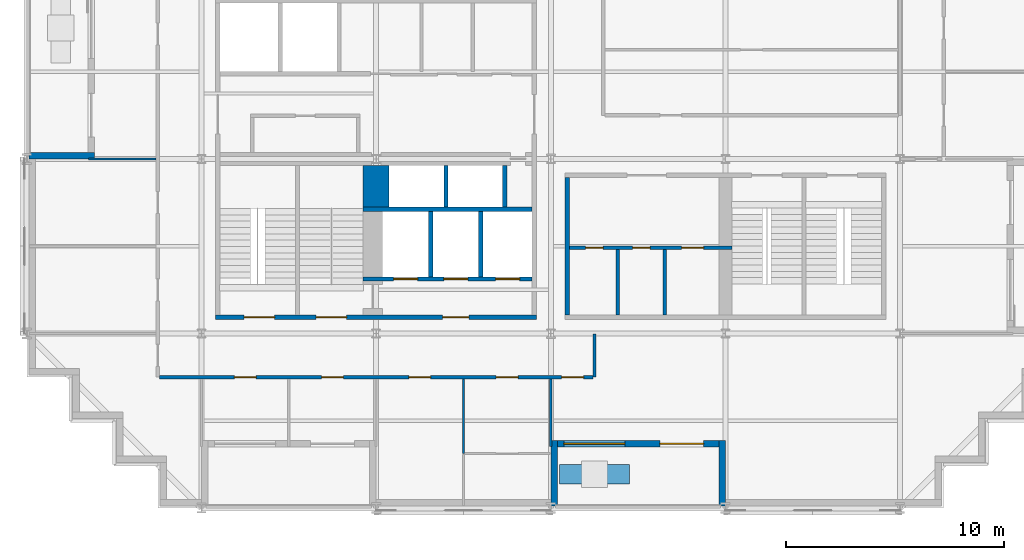
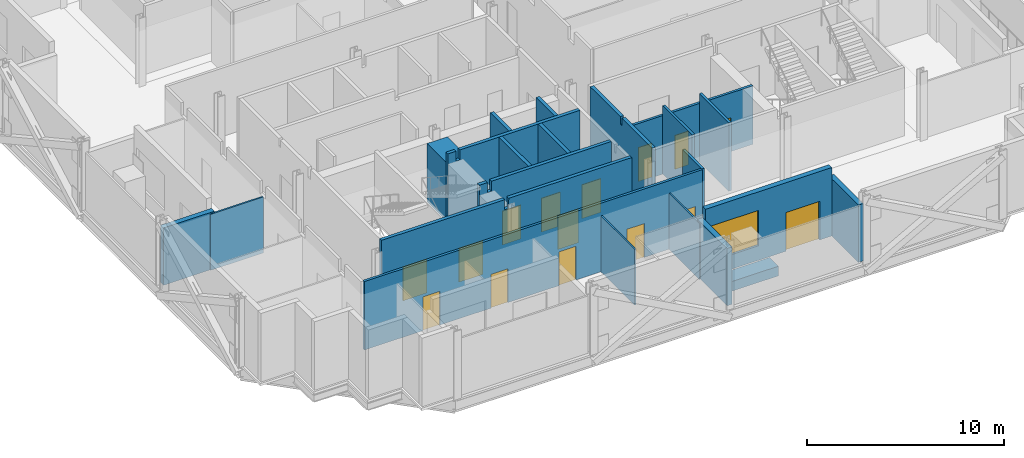
# One storey, part 6 of 15: 22 walls, 15 doors, 1 window, 16 openings.
"""IFC4 building model written with IfcOpenShell, lengths in metres."""

from ifc_helpers import new_model, si_unit, direction, frame, frame_2d, origin, place, context, subcontext, project, spatial, polyline, rectangle, outline, extrude, material, layer, layer_set, type_object, element, fill, save


model = new_model("IFC4")

# Units and contexts
model_context = context("Model", 3, precision=1e-05, world=origin(), true_north=direction((0.0, 1.0)))
body_context = subcontext(model_context, "Body", "Model", "MODEL_VIEW")
ifc_project = project(units=[si_unit("LENGTHUNIT", "METRE"), si_unit("AREAUNIT", "SQUARE_METRE"), si_unit("VOLUMEUNIT", "CUBIC_METRE"), si_unit("PLANEANGLEUNIT", "RADIAN"), si_unit("MASSUNIT", "GRAM", prefix="KILO")], contexts=[model_context])

# Site, building, storey
site_placement = place(None, origin())
site = spatial("IfcSite", under=ifc_project, at=site_placement, CompositionType="ELEMENT")
building_placement = place(site_placement, origin())
building = spatial("IfcBuilding", under=site, at=building_placement, Name="Immortelle Media Tower", CompositionType="ELEMENT")
storey_placement = place(building_placement, frame((0.0, 0.0, 70.0)))
storey = spatial("IfcBuildingStorey", under=building, at=storey_placement, Name="L12", CompositionType="ELEMENT", Elevation=70.0)

# Wall, openings, doors
ifc_material_1 = material(Name="Fire-rated gypsum board", Category="gypsum")
ifc_layer_1 = layer(ifc_material_1, 0.02490234375)
ifc_material_2 = material(Name="Steel ASTM A653 SS Gr 50 stud frame with mineral wool", Category="steel")
ifc_layer_2 = layer(ifc_material_2, 0.10009765625)
ifc_layer_3 = layer(ifc_material_1, 0.02490234375)
ifc_layer_set_1 = layer_set([ifc_layer_1, ifc_layer_2, ifc_layer_3], Name="Steel ASTM A653 SS Gr 50 stud frame with mineral wool")
wall_type_1 = type_object("IfcWallType", Name="Core partition 150", PredefinedType="PARTITIONING", material=ifc_layer_set_1)
wall_1_placement = place(storey_placement, frame((24.85009765625, 11.925048828125, 0.0), z_axis=(0.0, 0.0, 1.0), x_axis=(1.0, 0.0, 0.0)))
wall_1 = element("IfcWall", 1, at=wall_1_placement, inside=storey, type_object=wall_type_1, Name="Core partition SE", PredefinedType="PARTITIONING", context=body_context, shape_type="SweptSolid", body=[
    extrude(rectangle(XDim=7.449951171875, YDim=0.14990234375, at=frame_2d((3.72509765625, 0.0))), origin(), (0.0, 0.0, 1.0), 3.632080078125),
])
opening_1_placement = place(wall_1_placement, frame((1.550048828125, 0.0, 0.0), z_axis=(0.0, 0.0, 1.0), x_axis=(-1.0, 0.0, 0.0)))
opening_1 = element("IfcOpeningElement", 2, at=opening_1_placement, cuts=wall_1, Name="Opening N3-K040", PredefinedType="OPENING", context=body_context, shape_type="SweptSolid", body=[
    extrude(rectangle(XDim=0.800048828125, YDim=2.10009765625, at=frame_2d((0.39990234375, 1.050048828125))), frame((0.0, 0.0849609375, 0.0), z_axis=(0.0, -1.0, 0.0), x_axis=(1.0, 0.0, 0.0)), (0.0, 0.0, 1.0), 0.169921875),
])
opening_2_placement = place(wall_1_placement, frame((3.699951171875, 0.0, 0.0), z_axis=(0.0, 0.0, 1.0), x_axis=(-1.0, 0.0, 0.0)))
opening_2 = element("IfcOpeningElement", 3, at=opening_2_placement, cuts=wall_1, Name="Opening N3-K041", PredefinedType="OPENING", context=body_context, shape_type="SweptSolid", body=[
    extrude(rectangle(XDim=0.800048828125, YDim=2.10009765625, at=frame_2d((0.39990234375, 1.050048828125))), frame((0.0, 0.0849609375, 0.0), z_axis=(0.0, -1.0, 0.0), x_axis=(1.0, 0.0, 0.0)), (0.0, 0.0, 1.0), 0.169921875),
])
opening_3_placement = place(wall_1_placement, frame((6.14990234375, 0.0, 0.0), z_axis=(0.0, 0.0, 1.0), x_axis=(-1.0, 0.0, 0.0)))
opening_3 = element("IfcOpeningElement", 4, at=opening_3_placement, cuts=wall_1, Name="Opening N3-K042", PredefinedType="OPENING", context=body_context, shape_type="SweptSolid", body=[
    extrude(rectangle(XDim=1.0, YDim=2.10009765625, at=frame_2d((0.5, 1.050048828125))), frame((0.0, 0.0849609375, 0.0), z_axis=(0.0, -1.0, 0.0), x_axis=(1.0, 0.0, 0.0)), (0.0, 0.0, 1.0), 0.169921875),
])
ifc_material_3 = material(Name="Timber", Category="wood")
door_type_1 = type_object("IfcDoorType", Name="Accessible toilet door 1000 x 2100", OperationType="NOTDEFINED", PredefinedType="NOTDEFINED", material=ifc_material_3)
door_1_placement = place(opening_3_placement, origin())
door_1 = element("IfcDoor", 5, at=door_1_placement, inside=storey, type_object=door_type_1, Name="Accessible toilet N3-K042", OperationType="SINGLE_SWING_LEFT", OverallHeight=2.10009765625, OverallWidth=1.0, PredefinedType="NOTDEFINED", context=body_context, shape_type="SweptSolid", body=[
    extrude(rectangle(XDim=1.0, YDim=2.10009765625, at=frame_2d((0.5, 1.050048828125))), frame((0.0, 0.02490234375, 0.0), z_axis=(0.0, -1.0, 0.0), x_axis=(1.0, 0.0, 0.0)), (0.0, 0.0, 1.0), 0.050048828125),
])
fill(opening_3, door_1)
door_type_2 = type_object("IfcDoorType", Name="Toilet door 800 x 2100", OperationType="NOTDEFINED", PredefinedType="NOTDEFINED", material=ifc_material_3)
door_2_placement = place(opening_1_placement, origin())
door_2 = element("IfcDoor", 6, at=door_2_placement, inside=storey, type_object=door_type_2, Name="Toilet N3-K040", OperationType="SINGLE_SWING_LEFT", OverallHeight=2.10009765625, OverallWidth=0.800048828125, PredefinedType="NOTDEFINED", context=body_context, shape_type="SweptSolid", body=[
    extrude(rectangle(XDim=0.800048828125, YDim=2.10009765625, at=frame_2d((0.39990234375, 1.050048828125))), frame((0.0, 0.02490234375, 0.0), z_axis=(0.0, -1.0, 0.0), x_axis=(1.0, 0.0, 0.0)), (0.0, 0.0, 1.0), 0.050048828125),
])
fill(opening_1, door_2)
door_3_placement = place(opening_2_placement, origin())
door_3 = element("IfcDoor", 7, at=door_3_placement, inside=storey, type_object=door_type_2, Name="Toilet N3-K041", OperationType="SINGLE_SWING_LEFT", OverallHeight=2.10009765625, OverallWidth=0.800048828125, PredefinedType="NOTDEFINED", context=body_context, shape_type="SweptSolid", body=[
    extrude(rectangle(XDim=0.800048828125, YDim=2.10009765625, at=frame_2d((0.39990234375, 1.050048828125))), frame((0.0, 0.02490234375, 0.0), z_axis=(0.0, -1.0, 0.0), x_axis=(1.0, 0.0, 0.0)), (0.0, 0.0, 1.0), 0.050048828125),
])
fill(opening_2, door_3)

# Walls
for number, where, z_axis, x_axis, name in (
    (8, (27.074951171875, 8.85009765625, 0.0), (0.0, 0.0, 1.0), (0.0, 1.0, 0.0), "Core partition SE"),
    (9, (29.22509765625, 8.85009765625, 0.0), (0.0, 0.0, 1.0), (0.0, 1.0, 0.0), "Core partition SE"),
):
    element("IfcWall", number, at=place(storey_placement, frame(where, z_axis=z_axis, x_axis=x_axis)), inside=storey, type_object=wall_type_1, Name=name, PredefinedType="PARTITIONING", context=body_context, shape_type="SweptSolid", body=[
        extrude(rectangle(XDim=3.0, YDim=0.14990234375, at=frame_2d((1.5, 0.0))), origin(), (0.0, 0.0, 1.0), 4.25),
    ])

# Wall, openings, doors
ifc_layer_4 = layer(ifc_material_1, 0.03759765625)
ifc_layer_5 = layer(ifc_material_2, 0.125)
ifc_layer_6 = layer(ifc_material_1, 0.03759765625)
ifc_layer_set_2 = layer_set([ifc_layer_4, ifc_layer_5, ifc_layer_6], Name="Steel ASTM A653 SS Gr 50 stud frame with mineral wool")
wall_type_2 = type_object("IfcWallType", Name="Core shaft wall 200", PredefinedType="PARTITIONING", material=ifc_layer_set_2)
wall_2_placement = place(storey_placement, frame((15.39990234375, 10.5, 0.0), z_axis=(0.0, 0.0, 1.0), x_axis=(1.0, 0.0, 0.0)))
wall_2 = element("IfcWall", 10, at=wall_2_placement, inside=storey, type_object=wall_type_2, Name="Core shaft wall SW", PredefinedType="PARTITIONING", context=body_context, shape_type="SweptSolid", body=[
    extrude(outline(polyline([(0.0, 0.0), (7.75, 0.0), (7.75, 4.25), (0.719482421875, 4.25), (0.718505859375, 3.632080078125), (0.4814453125, 3.632080078125), (0.48046875, 4.25), (0.0, 4.25), (0.0, 0.0)])), frame((0.0, 0.10009765625, 0.0), z_axis=(0.0, -1.0, 0.0), x_axis=(1.0, 0.0, 0.0)), (0.0, 0.0, 1.0), 0.199951171875),
])
opening_4_placement = place(wall_2_placement, frame((1.39990234375, 0.0, 0.0)))
opening_4 = element("IfcOpeningElement", 11, at=opening_4_placement, cuts=wall_2, Name="Opening LD", PredefinedType="OPENING", context=body_context, shape_type="SweptSolid", body=[
    extrude(rectangle(XDim=1.10009765625, YDim=2.10009765625, at=frame_2d((0.550048828125, 1.050048828125))), frame((0.0, 0.10986328125, 0.0), z_axis=(0.0, -1.0, 0.0), x_axis=(1.0, 0.0, 0.0)), (0.0, 0.0, 1.0), 0.219970703125),
])
opening_5_placement = place(wall_2_placement, frame((3.699951171875, 0.0, 0.0)))
opening_5 = element("IfcOpeningElement", 12, at=opening_5_placement, cuts=wall_2, Name="Opening LD", PredefinedType="OPENING", context=body_context, shape_type="SweptSolid", body=[
    extrude(rectangle(XDim=1.10009765625, YDim=2.10009765625, at=frame_2d((0.550048828125, 1.050048828125))), frame((0.0, 0.10986328125, 0.0), z_axis=(0.0, -1.0, 0.0), x_axis=(1.0, 0.0, 0.0)), (0.0, 0.0, 1.0), 0.219970703125),
])
opening_6_placement = place(wall_2_placement, frame((6.074951171875, 0.0, 0.0)))
opening_6 = element("IfcOpeningElement", 13, at=opening_6_placement, cuts=wall_2, Name="Opening LD", PredefinedType="OPENING", context=body_context, shape_type="SweptSolid", body=[
    extrude(rectangle(XDim=1.10009765625, YDim=2.10009765625, at=frame_2d((0.550048828125, 1.050048828125))), frame((0.0, 0.10986328125, 0.0), z_axis=(0.0, -1.0, 0.0), x_axis=(1.0, 0.0, 0.0)), (0.0, 0.0, 1.0), 0.219970703125),
])
ifc_material_4 = material(Name="Stainless steel AISI 304", Category="steel")
door_type_3 = type_object("IfcDoorType", Name="Landing door 1100 x 2100", OperationType="SLIDING_TO_LEFT", PredefinedType="NOTDEFINED", material=ifc_material_4)
door_4_placement = place(opening_4_placement, origin())
door_4 = element("IfcDoor", 14, at=door_4_placement, inside=storey, type_object=door_type_3, Name="Landing door FF1 L12", OperationType="SLIDING_TO_LEFT", OverallHeight=2.10009765625, OverallWidth=1.10009765625, PredefinedType="NOTDEFINED", context=body_context, shape_type="SweptSolid", body=[
    extrude(rectangle(XDim=1.10009765625, YDim=2.10009765625, at=frame_2d((0.550048828125, 1.050048828125))), frame((0.0, 0.02490234375, 0.0), z_axis=(0.0, -1.0, 0.0), x_axis=(1.0, 0.0, 0.0)), (0.0, 0.0, 1.0), 0.050048828125),
])
fill(opening_4, door_4)
door_5_placement = place(opening_5_placement, origin())
door_5 = element("IfcDoor", 15, at=door_5_placement, inside=storey, type_object=door_type_3, Name="Landing door FF2 L12", OperationType="SLIDING_TO_LEFT", OverallHeight=2.10009765625, OverallWidth=1.10009765625, PredefinedType="NOTDEFINED", context=body_context, shape_type="SweptSolid", body=[
    extrude(rectangle(XDim=1.10009765625, YDim=2.10009765625, at=frame_2d((0.550048828125, 1.050048828125))), frame((0.0, 0.02490234375, 0.0), z_axis=(0.0, -1.0, 0.0), x_axis=(1.0, 0.0, 0.0)), (0.0, 0.0, 1.0), 0.050048828125),
])
fill(opening_5, door_5)
door_6_placement = place(opening_6_placement, origin())
door_6 = element("IfcDoor", 16, at=door_6_placement, inside=storey, type_object=door_type_3, Name="Landing door FF3 L12", OperationType="SLIDING_TO_LEFT", OverallHeight=2.10009765625, OverallWidth=1.10009765625, PredefinedType="NOTDEFINED", context=body_context, shape_type="SweptSolid", body=[
    extrude(rectangle(XDim=1.10009765625, YDim=2.10009765625, at=frame_2d((0.550048828125, 1.050048828125))), frame((0.0, 0.02490234375, 0.0), z_axis=(0.0, -1.0, 0.0), x_axis=(1.0, 0.0, 0.0)), (0.0, 0.0, 1.0), 0.050048828125),
])
fill(opening_6, door_6)

# Walls
wall_3_placement = place(storey_placement, frame((15.39990234375, 13.699951171875, 0.0), z_axis=(0.0, 0.0, 1.0), x_axis=(1.0, 0.0, 0.0)))
element("IfcWall", 17, at=wall_3_placement, inside=storey, type_object=wall_type_2, Name="Core shaft wall SW", PredefinedType="PARTITIONING", context=body_context, shape_type="SweptSolid", body=[
    extrude(outline(polyline([(0.0, 0.0), (7.75, 0.0), (7.75, 4.25), (0.719482421875, 4.25), (0.718505859375, 3.632080078125), (0.4814453125, 3.632080078125), (0.48046875, 4.25), (0.0, 4.25), (0.0, 0.0)])), frame((0.0, 0.10009765625, 0.0), z_axis=(0.0, -1.0, 0.0), x_axis=(1.0, 0.0, 0.0)), (0.0, 0.0, 1.0), 0.199951171875),
])
wall_4_placement = place(storey_placement, frame((18.5, 10.60009765625, 0.0), z_axis=(0.0, 0.0, 1.0), x_axis=(0.0, 1.0, 0.0)))
element("IfcWall", 18, at=wall_4_placement, inside=storey, type_object=wall_type_2, Name="Core shaft wall SW", PredefinedType="PARTITIONING", context=body_context, shape_type="SweptSolid", body=[
    extrude(rectangle(XDim=3.0, YDim=0.199951171875, at=frame_2d((1.5, 0.0))), origin(), (0.0, 0.0, 1.0), 4.25),
])
wall_5_placement = place(storey_placement, frame((19.199951171875, 13.800048828125, 0.0), z_axis=(0.0, 0.0, 1.0), x_axis=(0.0, 1.0, 0.0)))
element("IfcWall", 19, at=wall_5_placement, inside=storey, type_object=wall_type_2, Name="Core shaft wall SW", PredefinedType="PARTITIONING", context=body_context, shape_type="SweptSolid", body=[
    extrude(rectangle(XDim=1.89990234375, YDim=0.199951171875, at=frame_2d((0.949951171875, 0.0))), origin(), (0.0, 0.0, 1.0), 4.25),
])
wall_6_placement = place(storey_placement, frame((20.800048828125, 10.60009765625, 0.0), z_axis=(0.0, 0.0, 1.0), x_axis=(0.0, 1.0, 0.0)))
element("IfcWall", 20, at=wall_6_placement, inside=storey, type_object=wall_type_2, Name="Core shaft wall SW", PredefinedType="PARTITIONING", context=body_context, shape_type="SweptSolid", body=[
    extrude(rectangle(XDim=3.0, YDim=0.199951171875, at=frame_2d((1.5, 0.0))), origin(), (0.0, 0.0, 1.0), 4.25),
])
wall_7_placement = place(storey_placement, frame((21.89990234375, 13.800048828125, 0.0), z_axis=(0.0, 0.0, 1.0), x_axis=(0.0, 1.0, 0.0)))
element("IfcWall", 21, at=wall_7_placement, inside=storey, type_object=wall_type_2, Name="Core shaft wall SW", PredefinedType="PARTITIONING", context=body_context, shape_type="SweptSolid", body=[
    extrude(rectangle(XDim=1.89990234375, YDim=0.199951171875, at=frame_2d((0.949951171875, 0.0))), origin(), (0.0, 0.0, 1.0), 4.25),
])
wall_8_placement = place(storey_placement, frame((24.75, 8.85009765625, 0.0), z_axis=(0.0, 0.0, 1.0), x_axis=(0.0, 1.0, 0.0)))
element("IfcWall", 22, at=wall_8_placement, inside=storey, type_object=wall_type_2, Name="Core shaft wall SE", PredefinedType="PARTITIONING", context=body_context, shape_type="SweptSolid", body=[
    extrude(outline(polyline([(0.0, 0.0), (6.2998046875, 0.0), (6.300048828125, 4.25), (3.2314453125, 4.25), (3.23046875, 3.7890625), (3.069580078125, 3.7890625), (3.068603515625, 4.25), (0.0, 4.25), (0.0, 0.0)])), frame((0.0, 0.10009765625, 0.0), z_axis=(0.0, -1.0, 0.0), x_axis=(1.0, 0.0, 0.0)), (0.0, 0.0, 1.0), 0.199951171875),
])

# Wall, openings, doors
ifc_layer_7 = layer(ifc_material_1, 0.012451171875)
ifc_layer_8 = layer(ifc_material_2, 0.125)
ifc_layer_9 = layer(ifc_material_1, 0.012451171875)
ifc_layer_set_3 = layer_set([ifc_layer_7, ifc_layer_8, ifc_layer_9], Name="Steel ASTM A653 SS Gr 50 stud frame with mineral wool")
wall_type_3 = type_object("IfcWallType", Name="Corridor wall 150", PredefinedType="PARTITIONING", material=ifc_layer_set_3)
wall_9_placement = place(storey_placement, frame((6.074951171875, 6.0, 0.0), z_axis=(0.0, 0.0, 1.0), x_axis=(1.0, 0.0, 0.0)))
wall_9 = element("IfcWall", 23, at=wall_9_placement, inside=storey, type_object=wall_type_3, Name="Partition L12-008", PredefinedType="PARTITIONING", context=body_context, shape_type="SweptSolid", body=[
    extrude(rectangle(XDim=19.85009765625, YDim=0.14990234375, at=frame_2d((9.925048828125, 0.0))), origin(), (0.0, 0.0, 1.0), 4.25),
])
opening_7_placement = place(wall_9_placement, frame((12.425048828125, 0.0, 0.0), z_axis=(0.0, 0.0, 1.0), x_axis=(-1.0, 0.0, 0.0)))
opening_7 = element("IfcOpeningElement", 24, at=opening_7_placement, cuts=wall_9, Name="Opening N3-F001", PredefinedType="OPENING", context=body_context, shape_type="SweptSolid", body=[
    extrude(rectangle(XDim=1.0, YDim=2.10009765625, at=frame_2d((0.5, 1.050048828125))), frame((0.0, 0.0849609375, 0.0), z_axis=(0.0, -1.0, 0.0), x_axis=(1.0, 0.0, 0.0)), (0.0, 0.0, 1.0), 0.169921875),
])
opening_8_placement = place(wall_9_placement, frame((16.425048828125, 0.0, 0.0), z_axis=(0.0, 0.0, 1.0), x_axis=(-1.0, 0.0, 0.0)))
opening_8 = element("IfcOpeningElement", 25, at=opening_8_placement, cuts=wall_9, Name="Opening N3-F002", PredefinedType="OPENING", context=body_context, shape_type="SweptSolid", body=[
    extrude(rectangle(XDim=1.0, YDim=2.10009765625, at=frame_2d((0.5, 1.050048828125))), frame((0.0, 0.0849609375, 0.0), z_axis=(0.0, -1.0, 0.0), x_axis=(1.0, 0.0, 0.0)), (0.0, 0.0, 1.0), 0.169921875),
])
opening_9_placement = place(wall_9_placement, frame((4.425048828125, 0.0, 0.0), z_axis=(0.0, 0.0, 1.0), x_axis=(-1.0, 0.0, 0.0)))
opening_9 = element("IfcOpeningElement", 26, at=opening_9_placement, cuts=wall_9, Name="Opening N3-F004", PredefinedType="OPENING", context=body_context, shape_type="SweptSolid", body=[
    extrude(rectangle(XDim=1.0, YDim=2.10009765625, at=frame_2d((0.5, 1.050048828125))), frame((0.0, 0.0849609375, 0.0), z_axis=(0.0, -1.0, 0.0), x_axis=(1.0, 0.0, 0.0)), (0.0, 0.0, 1.0), 0.169921875),
])
opening_10_placement = place(wall_9_placement, frame((8.425048828125, 0.0, 0.0), z_axis=(0.0, 0.0, 1.0), x_axis=(-1.0, 0.0, 0.0)))
opening_10 = element("IfcOpeningElement", 27, at=opening_10_placement, cuts=wall_9, Name="Opening N3-F005", PredefinedType="OPENING", context=body_context, shape_type="SweptSolid", body=[
    extrude(rectangle(XDim=1.0, YDim=2.10009765625, at=frame_2d((0.5, 1.050048828125))), frame((0.0, 0.0849609375, 0.0), z_axis=(0.0, -1.0, 0.0), x_axis=(1.0, 0.0, 0.0)), (0.0, 0.0, 1.0), 0.169921875),
])
opening_11_placement = place(wall_9_placement, frame((19.425048828125, 0.0, 0.0), z_axis=(0.0, 0.0, 1.0), x_axis=(-1.0, 0.0, 0.0)))
opening_11 = element("IfcOpeningElement", 28, at=opening_11_placement, cuts=wall_9, Name="Opening N3-F006", PredefinedType="OPENING", context=body_context, shape_type="SweptSolid", body=[
    extrude(rectangle(XDim=1.0, YDim=2.10009765625, at=frame_2d((0.5, 1.050048828125))), frame((0.0, 0.0849609375, 0.0), z_axis=(0.0, -1.0, 0.0), x_axis=(1.0, 0.0, 0.0)), (0.0, 0.0, 1.0), 0.169921875),
])
ifc_material_5 = material(Name="Timber veneered door leaf, galvanised steel frame ASTM A653", Category="steel")
door_type_4 = type_object("IfcDoorType", Name="Room door 1000 x 2100", OperationType="NOTDEFINED", PredefinedType="DOOR", material=ifc_material_5)
door_7_placement = place(opening_7_placement, origin())
door_7 = element("IfcDoor", 29, at=door_7_placement, inside=storey, type_object=door_type_4, Name="Door N3-F001", OperationType="SINGLE_SWING_RIGHT", OverallHeight=2.10009765625, OverallWidth=1.0, PredefinedType="DOOR", context=body_context, shape_type="SweptSolid", body=[
    extrude(rectangle(XDim=1.0, YDim=2.10009765625, at=frame_2d((0.5, 1.050048828125))), frame((0.0, 0.02490234375, 0.0), z_axis=(0.0, -1.0, 0.0), x_axis=(1.0, 0.0, 0.0)), (0.0, 0.0, 1.0), 0.050048828125),
])
fill(opening_7, door_7)
door_8_placement = place(opening_8_placement, origin())
door_8 = element("IfcDoor", 30, at=door_8_placement, inside=storey, type_object=door_type_4, Name="Door N3-F002", OperationType="SINGLE_SWING_RIGHT", OverallHeight=2.10009765625, OverallWidth=1.0, PredefinedType="DOOR", context=body_context, shape_type="SweptSolid", body=[
    extrude(rectangle(XDim=1.0, YDim=2.10009765625, at=frame_2d((0.5, 1.050048828125))), frame((0.0, 0.02490234375, 0.0), z_axis=(0.0, -1.0, 0.0), x_axis=(1.0, 0.0, 0.0)), (0.0, 0.0, 1.0), 0.050048828125),
])
fill(opening_8, door_8)
door_9_placement = place(opening_9_placement, origin())
door_9 = element("IfcDoor", 31, at=door_9_placement, inside=storey, type_object=door_type_4, Name="Door N3-F004", OperationType="SINGLE_SWING_RIGHT", OverallHeight=2.10009765625, OverallWidth=1.0, PredefinedType="DOOR", context=body_context, shape_type="SweptSolid", body=[
    extrude(rectangle(XDim=1.0, YDim=2.10009765625, at=frame_2d((0.5, 1.050048828125))), frame((0.0, 0.02490234375, 0.0), z_axis=(0.0, -1.0, 0.0), x_axis=(1.0, 0.0, 0.0)), (0.0, 0.0, 1.0), 0.050048828125),
])
fill(opening_9, door_9)
door_10_placement = place(opening_10_placement, origin())
door_10 = element("IfcDoor", 32, at=door_10_placement, inside=storey, type_object=door_type_4, Name="Door N3-F005", OperationType="SINGLE_SWING_LEFT", OverallHeight=2.10009765625, OverallWidth=1.0, PredefinedType="DOOR", context=body_context, shape_type="SweptSolid", body=[
    extrude(rectangle(XDim=1.0, YDim=2.10009765625, at=frame_2d((0.5, 1.050048828125))), frame((0.0, 0.02490234375, 0.0), z_axis=(0.0, -1.0, 0.0), x_axis=(1.0, 0.0, 0.0)), (0.0, 0.0, 1.0), 0.050048828125),
])
fill(opening_10, door_10)
door_11_placement = place(opening_11_placement, origin())
door_11 = element("IfcDoor", 33, at=door_11_placement, inside=storey, type_object=door_type_4, Name="Door N3-F006", OperationType="SINGLE_SWING_RIGHT", OverallHeight=2.10009765625, OverallWidth=1.0, PredefinedType="DOOR", context=body_context, shape_type="SweptSolid", body=[
    extrude(rectangle(XDim=1.0, YDim=2.10009765625, at=frame_2d((0.5, 1.050048828125))), frame((0.0, 0.02490234375, 0.0), z_axis=(0.0, -1.0, 0.0), x_axis=(1.0, 0.0, 0.0)), (0.0, 0.0, 1.0), 0.050048828125),
])
fill(opening_11, door_11)

# Walls
wall_10_placement = place(storey_placement, frame((26.0, 6.0, 0.0), z_axis=(0.0, 0.0, 1.0), x_axis=(0.0, 1.0, 0.0)))
element("IfcWall", 34, at=wall_10_placement, inside=storey, type_object=wall_type_3, Name="Partition L12-010", PredefinedType="PARTITIONING", context=body_context, shape_type="SweptSolid", body=[
    extrude(rectangle(XDim=1.969970703125, YDim=0.14990234375, at=frame_2d((0.98486328125, 0.0))), origin(), (0.0, 0.0, 1.0), 4.25),
])
ifc_material_6 = material(Name="Pale aluminium cladding panel", Category="aluminium")
ifc_layer_10 = layer(ifc_material_6, 0.030029296875)
ifc_layer_11 = layer(ifc_material_2, 0.257568359375)
ifc_material_7 = material(Name="Moisture-resistant gypsum board", Category="gypsum")
ifc_layer_12 = layer(ifc_material_7, 0.012451171875)
ifc_layer_set_4 = layer_set([ifc_layer_10, ifc_layer_11, ifc_layer_12], Name="Steel ASTM A653 SS Gr 50 stud frame with mineral wool")
wall_type_4 = type_object("IfcWallType", Name="Facade wall 300", PredefinedType="SOLIDWALL", material=ifc_layer_set_4)
wall_11_placement = place(storey_placement, frame((0.10009765625, 16.14990234375, 0.0), z_axis=(0.0, 0.0, 1.0), x_axis=(1.0, 0.0, 0.0)))
element("IfcWall", 35, at=wall_11_placement, inside=storey, type_object=wall_type_4, Name="Loggia cheek wall L12 W", PredefinedType="SOLIDWALL", context=body_context, shape_type="SweptSolid", body=[
    extrude(rectangle(XDim=3.0, YDim=0.300048828125, at=frame_2d((1.5, 0.0))), origin(), (0.0, 0.0, 1.0), 3.555908203125),
])

# Wall, openings, door, window
wall_12_placement = place(storey_placement, frame((24.300048828125, 2.949951171875, 0.0), z_axis=(0.0, 0.0, 1.0), x_axis=(1.0, 0.0, 0.0)))
wall_12 = element("IfcWall", 36, at=wall_12_placement, inside=storey, type_object=wall_type_4, Name="Loggia wall L12 S7", PredefinedType="SOLIDWALL", context=body_context, shape_type="SweptSolid", body=[
    extrude(rectangle(XDim=7.39990234375, YDim=0.300048828125, at=frame_2d((3.699951171875, 0.0))), origin(), (0.0, 0.0, 1.0), 4.25),
])
opening_12_placement = place(wall_12_placement, frame((0.300048828125, 0.0, 0.89990234375)))
opening_12 = element("IfcOpeningElement", 37, at=opening_12_placement, cuts=wall_12, Name="Opening W1", PredefinedType="OPENING", context=body_context, shape_type="SweptSolid", body=[
    extrude(rectangle(XDim=2.800048828125, YDim=2.199951171875, at=frame_2d((1.39990234375, 1.10009765625))), frame((0.0, 0.159912109375, 0.0), z_axis=(0.0, -1.0, 0.0), x_axis=(1.0, 0.0, 0.0)), (0.0, 0.0, 1.0), 0.320068359375),
])
opening_13_placement = place(wall_12_placement, frame((4.699951171875, 0.0, 0.0)))
opening_13 = element("IfcOpeningElement", 38, at=opening_13_placement, cuts=wall_12, Name="Opening N3-E004", PredefinedType="OPENING", context=body_context, shape_type="SweptSolid", body=[
    extrude(rectangle(XDim=2.0, YDim=2.39990234375, at=frame_2d((1.0, 1.199951171875))), frame((0.0, 0.159912109375, 0.0), z_axis=(0.0, -1.0, 0.0), x_axis=(1.0, 0.0, 0.0)), (0.0, 0.0, 1.0), 0.320068359375),
])
ifc_material_8 = material(Name="Aluminium frame, glazed leaves", Category="aluminium")
door_type_5 = type_object("IfcDoorType", Name="Loggia door 2000 x 2400", OperationType="DOUBLE_DOOR_SINGLE_SWING", PredefinedType="DOOR", material=ifc_material_8)
door_12_placement = place(opening_13_placement, origin())
door_12 = element("IfcDoor", 39, at=door_12_placement, inside=storey, type_object=door_type_5, Name="Door N3-E004", OperationType="DOUBLE_DOOR_SINGLE_SWING", OverallHeight=2.39990234375, OverallWidth=2.0, PredefinedType="DOOR", context=body_context, shape_type="SweptSolid", body=[
    extrude(rectangle(XDim=2.0, YDim=2.39990234375, at=frame_2d((1.0, 1.199951171875))), frame((0.0, 0.02490234375, 0.0), z_axis=(0.0, -1.0, 0.0), x_axis=(1.0, 0.0, 0.0)), (0.0, 0.0, 1.0), 0.050048828125),
])
fill(opening_13, door_12)
ifc_material_9 = material(Name="Aluminium frame", Category="aluminium")
window_type = type_object("IfcWindowType", Name="Window 2800 x 2200", PartitioningType="SINGLE_PANEL", PredefinedType="WINDOW", material=ifc_material_9)
window_placement = place(opening_12_placement, origin())
window = element("IfcWindow", 40, at=window_placement, inside=storey, type_object=window_type, Name="Window L12 L12-R7-B2", OverallHeight=2.199951171875, OverallWidth=2.800048828125, PartitioningType="SINGLE_PANEL", PredefinedType="WINDOW", context=body_context, shape_type="SweptSolid", body=[
    extrude(rectangle(XDim=2.800048828125, YDim=2.199951171875, at=frame_2d((1.39990234375, 1.10009765625))), frame((0.0, 0.030029296875, 0.0), z_axis=(0.0, -1.0, 0.0), x_axis=(1.0, 0.0, 0.0)), (0.0, 0.0, 1.0), 0.06005859375),
])
fill(opening_12, window)

# Walls
for number, where, z_axis, x_axis, name in (
    (41, (24.14990234375, 0.10009765625, 0.0), (0.0, 0.0, 1.0), (0.0, 1.0, 0.0), "Loggia cheek wall L12 S"),
    (42, (31.85009765625, 0.10009765625, 0.0), (0.0, 0.0, 1.0), (0.0, 1.0, 0.0), "Loggia cheek wall L12 S"),
):
    element("IfcWall", number, at=place(storey_placement, frame(where, z_axis=z_axis, x_axis=x_axis)), inside=storey, type_object=wall_type_4, Name=name, PredefinedType="SOLIDWALL", context=body_context, shape_type="SweptSolid", body=[
        extrude(rectangle(XDim=3.0, YDim=0.300048828125, at=frame_2d((1.5, 0.0))), origin(), (0.0, 0.0, 1.0), 3.555908203125),
    ])
ifc_material_10 = material(Name="Gypsum board", Category="gypsum")
ifc_layer_13 = layer(ifc_material_10, 0.012451171875)
ifc_layer_14 = layer(ifc_material_2, 0.074951171875)
ifc_layer_15 = layer(ifc_material_10, 0.012451171875)
ifc_layer_set_5 = layer_set([ifc_layer_13, ifc_layer_14, ifc_layer_15], Name="Steel ASTM A653 SS Gr 50 stud frame with mineral wool")
wall_type_5 = type_object("IfcWallType", Name="Partition 100", PredefinedType="PARTITIONING", material=ifc_layer_set_5)
wall_13_placement = place(storey_placement, frame((20.0, 2.5, 0.0), z_axis=(0.0, 0.0, 1.0), x_axis=(0.0, 1.0, 0.0)))
element("IfcWall", 43, at=wall_13_placement, inside=storey, type_object=wall_type_5, Name="Partition L12-003", PredefinedType="PARTITIONING", context=body_context, shape_type="SweptSolid", body=[
    extrude(rectangle(XDim=3.425048828125, YDim=0.10009765625, at=frame_2d((1.71240234375, 0.0))), origin(), (0.0, 0.0, 1.0), 3.469970703125),
])
for number, where, z_axis, x_axis, name in (
    (44, (24.0, 2.830078125, 0.0), (0.0, 0.0, 1.0), (0.0, 1.0, 0.0), "Partition L12-007"),
    (45, (2.830078125, 16.0, 0.0), (0.0, 0.0, 1.0), (1.0, 0.0, 0.0), "Partition L12-014"),
):
    element("IfcWall", number, at=place(storey_placement, frame(where, z_axis=z_axis, x_axis=x_axis)), inside=storey, type_object=wall_type_5, Name=name, PredefinedType="PARTITIONING", context=body_context, shape_type="SweptSolid", body=[
        extrude(rectangle(XDim=3.094970703125, YDim=0.10009765625, at=frame_2d((1.54736328125, 0.0))), origin(), (0.0, 0.0, 1.0), 3.469970703125),
    ])
ifc_layer_16 = layer(ifc_material_6, 0.0029296875)
ifc_material_11 = material(Name="Steel ASTM A572 Gr 50 planter shell", Category="steel")
ifc_layer_17 = layer(ifc_material_11, 0.011962890625)
ifc_material_12 = material(Name="Planting substrate", Category="soil")
ifc_layer_18 = layer(ifc_material_12, 0.873046875)
ifc_layer_19 = layer(ifc_material_11, 0.011962890625)
ifc_layer_set_6 = layer_set([ifc_layer_16, ifc_layer_17, ifc_layer_18, ifc_layer_19], Name="Steel ASTM A572 Gr 50 planter shell")
wall_type_6 = type_object("IfcWallType", Name="Planter wall 900", PredefinedType="SOLIDWALL", material=ifc_layer_set_6)
wall_14_placement = place(storey_placement, frame((24.39990234375, 1.550048828125, 0.0), z_axis=(0.0, 0.0, 1.0), x_axis=(1.0, 0.0, 0.0)))
element("IfcWall", 46, at=wall_14_placement, inside=storey, type_object=wall_type_6, Name="Planter L12 S2", PredefinedType="SOLIDWALL", context=body_context, shape_type="SweptSolid", body=[
    extrude(rectangle(XDim=3.2001953125, YDim=0.89990234375, at=frame_2d((1.60009765625, 0.0))), origin(), (0.0, 0.0, 1.0), 0.60009765625),
])
ifc_material_13 = material(Name="Concrete C60", Category="concrete")
ifc_layer_20 = layer(ifc_material_13, 1.199951171875)
ifc_layer_set_7 = layer_set([ifc_layer_20], Name="Concrete C60")
wall_type_7 = type_object("IfcWallType", Name="Stair shaft wall 1200", PredefinedType="PARTITIONING", material=ifc_layer_set_7)
wall_15_placement = place(storey_placement, frame((16.0, 13.800048828125, 0.0), z_axis=(0.0, 0.0, 1.0), x_axis=(0.0, 1.0, 0.0)))
element("IfcWall", 47, at=wall_15_placement, inside=storey, type_object=wall_type_7, Name="Stair shaft wall SW", PredefinedType="PARTITIONING", context=body_context, shape_type="SweptSolid", body=[
    extrude(rectangle(XDim=1.89990234375, YDim=1.199951171875, at=frame_2d((0.949951171875, 0.0))), origin(), (0.0, 0.0, 1.0), 3.632080078125),
])

# Wall, openings, doors
ifc_layer_21 = layer(ifc_material_13, 0.199951171875)
ifc_layer_set_8 = layer_set([ifc_layer_21], Name="Concrete C60")
wall_type_8 = type_object("IfcWallType", Name="Stair shaft wall 200", PredefinedType="PARTITIONING", material=ifc_layer_set_8)
wall_16_placement = place(storey_placement, frame((8.64990234375, 8.75, 0.0), z_axis=(0.0, 0.0, 1.0), x_axis=(1.0, 0.0, 0.0)))
wall_16 = element("IfcWall", 48, at=wall_16_placement, inside=storey, type_object=wall_type_8, Name="Stair shaft wall SW", PredefinedType="PARTITIONING", context=body_context, shape_type="SweptSolid", body=[
    extrude(outline(polyline([(0.0, 0.0), (14.7001953125, 0.0), (14.699951171875, 4.25), (7.469482421875, 4.25), (7.468505859375, 3.632080078125), (7.2314453125, 3.632080078125), (7.23046875, 4.25), (0.0, 4.25), (0.0, 0.0)])), frame((0.0, 0.10009765625, 0.0), z_axis=(0.0, -1.0, 0.0), x_axis=(1.0, 0.0, 0.0)), (0.0, 0.0, 1.0), 0.199951171875),
])
opening_14_placement = place(wall_16_placement, frame((1.300048828125, 0.0, 0.0)))
opening_14 = element("IfcOpeningElement", 49, at=opening_14_placement, cuts=wall_16, Name="Opening N3-K002", PredefinedType="OPENING", context=body_context, shape_type="SweptSolid", body=[
    extrude(rectangle(XDim=1.39990234375, YDim=2.10009765625, at=frame_2d((0.699951171875, 1.050048828125))), frame((0.0, 0.10986328125, 0.0), z_axis=(0.0, -1.0, 0.0), x_axis=(1.0, 0.0, 0.0)), (0.0, 0.0, 1.0), 0.219970703125),
])
opening_15_placement = place(wall_16_placement, frame((4.60009765625, 0.0, 0.0)))
opening_15 = element("IfcOpeningElement", 50, at=opening_15_placement, cuts=wall_16, Name="Opening N3-K003", PredefinedType="OPENING", context=body_context, shape_type="SweptSolid", body=[
    extrude(rectangle(XDim=1.39990234375, YDim=2.10009765625, at=frame_2d((0.699951171875, 1.050048828125))), frame((0.0, 0.10986328125, 0.0), z_axis=(0.0, -1.0, 0.0), x_axis=(1.0, 0.0, 0.0)), (0.0, 0.0, 1.0), 0.219970703125),
])
opening_16_placement = place(wall_16_placement, frame((10.39990234375, 0.0, 0.0)))
opening_16 = element("IfcOpeningElement", 51, at=opening_16_placement, cuts=wall_16, Name="Opening N3-K008", PredefinedType="OPENING", context=body_context, shape_type="SweptSolid", body=[
    extrude(rectangle(XDim=1.199951171875, YDim=2.10009765625, at=frame_2d((0.60009765625, 1.050048828125))), frame((0.0, 0.10986328125, 0.0), z_axis=(0.0, -1.0, 0.0), x_axis=(1.0, 0.0, 0.0)), (0.0, 0.0, 1.0), 0.219970703125),
])
ifc_material_14 = material(Name="Galvanised steel door leaf and frame ASTM A653", Category="steel")
door_type_6 = type_object("IfcDoorType", Name="Fire-fighting lobby door 1200 x 2100", OperationType="NOTDEFINED", PredefinedType="NOTDEFINED", material=ifc_material_14)
door_13_placement = place(opening_16_placement, origin())
door_13 = element("IfcDoor", 52, at=door_13_placement, inside=storey, type_object=door_type_6, Name="Fire-fighting lobby N3-K008", OperationType="SINGLE_SWING_RIGHT", OverallHeight=2.10009765625, OverallWidth=1.199951171875, PredefinedType="NOTDEFINED", context=body_context, shape_type="SweptSolid", body=[
    extrude(rectangle(XDim=1.199951171875, YDim=2.10009765625, at=frame_2d((0.60009765625, 1.050048828125))), frame((0.0, 0.02490234375, 0.0), z_axis=(0.0, -1.0, 0.0), x_axis=(1.0, 0.0, 0.0)), (0.0, 0.0, 1.0), 0.050048828125),
])
fill(opening_16, door_13)
door_type_7 = type_object("IfcDoorType", Name="Stair door 1400 x 2100", OperationType="DOUBLE_DOOR_SINGLE_SWING", PredefinedType="NOTDEFINED", material=ifc_material_14)
door_14_placement = place(opening_14_placement, origin())
door_14 = element("IfcDoor", 53, at=door_14_placement, inside=storey, type_object=door_type_7, Name="Stair N3-K002", OperationType="DOUBLE_DOOR_SINGLE_SWING", OverallHeight=2.10009765625, OverallWidth=1.39990234375, PredefinedType="NOTDEFINED", context=body_context, shape_type="SweptSolid", body=[
    extrude(rectangle(XDim=1.39990234375, YDim=2.10009765625, at=frame_2d((0.699951171875, 1.050048828125))), frame((0.0, 0.02490234375, 0.0), z_axis=(0.0, -1.0, 0.0), x_axis=(1.0, 0.0, 0.0)), (0.0, 0.0, 1.0), 0.050048828125),
])
fill(opening_14, door_14)
door_15_placement = place(opening_15_placement, origin())
door_15 = element("IfcDoor", 54, at=door_15_placement, inside=storey, type_object=door_type_7, Name="Stair N3-K003", OperationType="DOUBLE_DOOR_SINGLE_SWING", OverallHeight=2.10009765625, OverallWidth=1.39990234375, PredefinedType="NOTDEFINED", context=body_context, shape_type="SweptSolid", body=[
    extrude(rectangle(XDim=1.39990234375, YDim=2.10009765625, at=frame_2d((0.699951171875, 1.050048828125))), frame((0.0, 0.02490234375, 0.0), z_axis=(0.0, -1.0, 0.0), x_axis=(1.0, 0.0, 0.0)), (0.0, 0.0, 1.0), 0.050048828125),
])
fill(opening_15, door_15)

save(model, "model.ifc")
